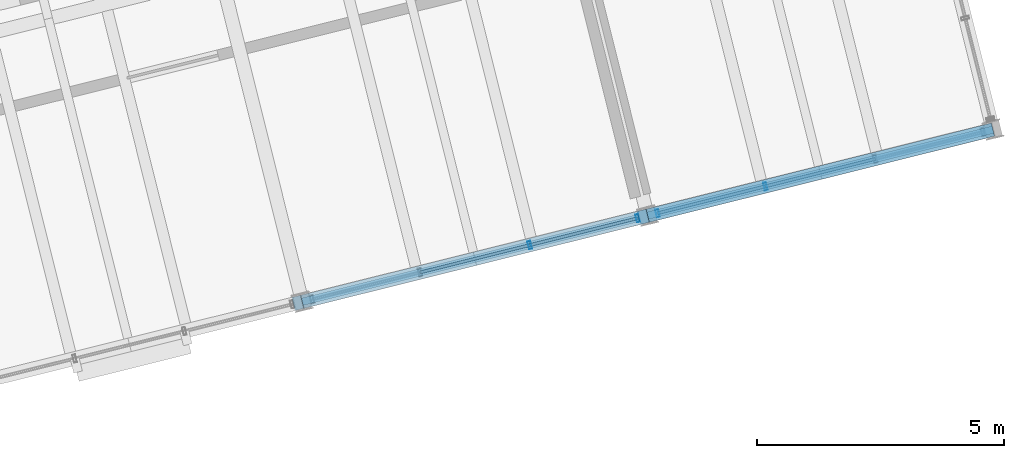
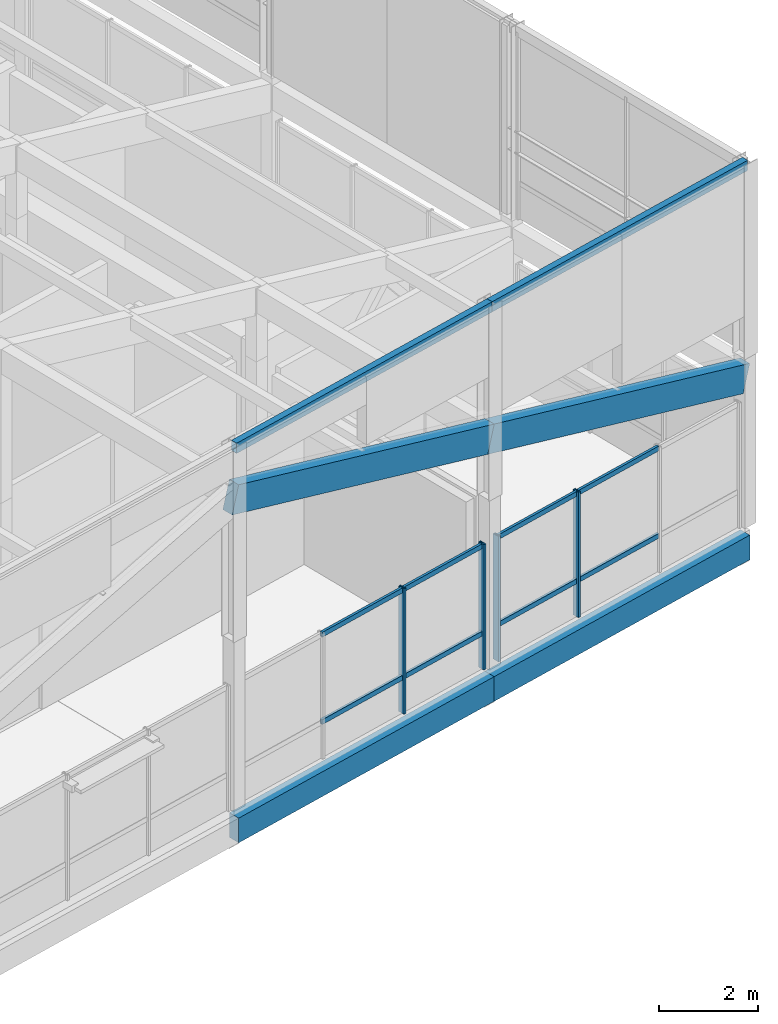
# One storey, part 10 of 31: 12 members, 6 beams, 2 elements without a shape of their own.
"""IFC4 building model written with IfcOpenShell, lengths in metres."""

from ifc_helpers import new_model, si_unit, direction, frame, origin, origin_2d, place, context, subcontext, project, spatial, rectangle, hollow_rectangle, extrude, material, layer, layer_set, material_profile, profile_set, type_object, element, aggregate, save


model = new_model("IFC4")

# Units and contexts
model_context = context("Model", 3, precision=1e-05, world=origin(), true_north=direction((0.0, 1.0)))
body_context = subcontext(model_context, "Body", "Model", "MODEL_VIEW")
ifc_project = project(units=[si_unit("LENGTHUNIT", "METRE"), si_unit("AREAUNIT", "SQUARE_METRE"), si_unit("VOLUMEUNIT", "CUBIC_METRE"), si_unit("PLANEANGLEUNIT", "RADIAN"), si_unit("MASSUNIT", "GRAM", prefix="KILO")], contexts=[model_context])

# Site, building, storey
site_placement = place(None, origin())
site = spatial("IfcSite", under=ifc_project, at=site_placement, CompositionType="ELEMENT")
building_placement = place(site_placement, origin())
building = spatial("IfcBuilding", under=site, at=building_placement, Name="Meriwether Solvik Hall", CompositionType="ELEMENT")
storey_placement = place(building_placement, frame((0.0, 0.0, 61.199951171875)))
storey = spatial("IfcBuildingStorey", under=building, at=storey_placement, Name="L15", CompositionType="ELEMENT", Elevation=61.199951171875)

# Beams
ifc_material_1 = material(Name="Glulam Douglas-Fir 24F-V8 GL28h", Category="wood")
ifc_material_profile_1 = material_profile(ifc_material_1, rectangle(XDim=0.27294921875, YDim=0.610107421875, at=origin_2d()), Name="GLB-273X610")
ifc_profile_set_1 = profile_set([ifc_material_profile_1], Name="Glulam Douglas-Fir 24F-V8 GL28h")
beam_type_1 = type_object("IfcBeamType", Name="BM-GL-273X610", PredefinedType="SPANDREL", material=ifc_profile_set_1)
for number, where, z_axis, x_axis, name in (
    (1, (82.96044921875, 44.780517578125, -0.550048828125), (0.970299871507, 0.241905269381, 0.0), (-0.241905269381, 0.970299871507, 0.0), "Tower Girder TA:T3-T4 (L15)"),
    (2, (89.946533203125, 46.522216796875, -0.550048828125), (0.970291911955, 0.241937193493, 0.0), (-0.241937193493, 0.970291911955, 0.0), "Tower Girder TA:T4-T5 (L15)"),
):
    element("IfcBeam", number, at=place(storey_placement, frame(where, z_axis=z_axis, x_axis=x_axis)), inside=storey, type_object=beam_type_1, Name=name, PredefinedType="SPANDREL", context=body_context, shape_type="SweptSolid", body=[
        extrude(rectangle(XDim=0.27294921875, YDim=0.610107421875, at=origin_2d()), origin(), (0.0, 0.0, 1.0), 7.199951171875),
    ])
ifc_material_2 = material(Name="Glulam Douglas-Fir 24F-V8 GL28h", Category="wood")
ifc_material_profile_2 = material_profile(ifc_material_2, rectangle(XDim=0.27294921875, YDim=0.68505859375, at=origin_2d()), Name="GLB-273X685")
ifc_profile_set_2 = profile_set([ifc_material_profile_2], Name="Glulam Douglas-Fir 24F-V8 GL28h")
beam_type_2 = type_object("IfcBeamType", Name="BM-GL-273X685", PredefinedType="BEAM", material=ifc_profile_set_2)
for number, where, z_axis, x_axis, name in (
    (3, (82.871337890625, 44.75830078125, 7.674072265625), (0.934904699241, 0.233072760846, -0.267638359525), (-0.241897310542, 0.970301855688, 0.0), "Sloped Roof Rafter TA:T3-T4"),
    (4, (89.857666015625, 46.5, 5.674072265625), (0.93489346428, 0.233110776433, -0.267644496222), (-0.241937193493, 0.970291911955, 0.0), "Sloped Roof Rafter TA:T4-T5"),
):
    element("IfcBeam", number, at=place(storey_placement, frame(where, z_axis=z_axis, x_axis=x_axis)), inside=storey, type_object=beam_type_2, Name=name, PredefinedType="BEAM", context=body_context, shape_type="SweptSolid", body=[
        extrude(rectangle(XDim=0.27294921875, YDim=0.68505859375, at=origin_2d()), origin(), (0.0, 0.0, 1.0), 7.47265625),
    ])
ifc_material_3 = material(Name="Steel A500 Grade C", Category="steel")
ifc_material_profile_3 = material_profile(ifc_material_3, hollow_rectangle(XDim=0.152099609375, YDim=0.25390625, WallThickness=0.009521484375, at=origin_2d()), Name="HSS254X152X9.5")
ifc_profile_set_3 = profile_set([ifc_material_profile_3], Name="Steel A500 Grade C")
beam_type_3 = type_object("IfcBeamType", Name="BM-STL-HSS254", PredefinedType="SPANDREL", material=ifc_profile_set_3)
for number, where, z_axis, x_axis, name in (
    (5, (82.96044921875, 44.780517578125, 8.873046875), (0.970299871507, 0.241905269381, 0.0), (-0.241905269381, 0.970299871507, 0.0), "Crown Cap Ring Beam T3TA-T4TA"),
    (6, (89.946533203125, 46.522216796875, 8.873046875), (0.970291911955, 0.241937193493, 0.0), (-0.241937193493, 0.970291911955, 0.0), "Crown Cap Ring Beam T4TA-T5TA"),
):
    element("IfcBeam", number, at=place(storey_placement, frame(where, z_axis=z_axis, x_axis=x_axis)), inside=storey, type_object=beam_type_3, Name=name, PredefinedType="SPANDREL", context=body_context, shape_type="SweptSolid", body=[
        extrude(hollow_rectangle(XDim=0.152099609375, YDim=0.25390625, WallThickness=0.009521484375, at=origin_2d()), origin(), (0.0, 0.0, 1.0), 7.199951171875),
    ])

# Curtain wall, members
ifc_material_4 = material(Name="Thermally Broken Anodised Aluminium 6063-T6 and Low-E Glass", Category="aluminium")
ifc_layer_1 = layer(ifc_material_4, 0.179931640625)
ifc_layer_set_1 = layer_set([ifc_layer_1], Name="Thermally Broken Anodised Aluminium 6063-T6 and Low-E Glass")
curtain_wall_type_1 = type_object("IfcCurtainWallType", Name="CW-UNIT-A", PredefinedType="USERDEFINED", material=ifc_layer_set_1)
curtain_wall_1_placement = place(storey_placement, origin())
curtain_wall_1 = element("IfcCurtainWall", 7, at=curtain_wall_1_placement, inside=storey, type_object=curtain_wall_type_1, Name="Curtain Wall E0_B2 (L15)", ObjectType="UNITISED CURTAIN WALL", PredefinedType="USERDEFINED")
ifc_material_5 = material(Name="Anodised Aluminium 6063-T6", Category="aluminium")
ifc_material_profile_4 = material_profile(ifc_material_5, hollow_rectangle(XDim=0.06005859375, YDim=0.159912109375, WallThickness=0.00390625, at=origin_2d()), Name="CWM-60X160")
ifc_profile_set_4 = profile_set([ifc_material_profile_4], Name="Anodised Aluminium 6063-T6")
member_type_1 = type_object("IfcMemberType", Name="CW-MUL-60X160", PredefinedType="MULLION", material=ifc_profile_set_4)
member_1_placement = place(storey_placement, frame((89.7451171875, 46.47216796875, 0.0), z_axis=(0.0, 0.0, 1.0), x_axis=(-0.970295730764, -0.241921877598, 0.0)))
member_1 = element("IfcMember", 8, at=member_1_placement, type_object=member_type_1, Name="Curtain Wall Mullion 1", PredefinedType="MULLION", context=body_context, shape_type="SweptSolid", body=[
    extrude(hollow_rectangle(XDim=0.06005859375, YDim=0.159912109375, WallThickness=0.00390625, at=origin_2d()), origin(), (0.0, 0.0, 1.0), 3.10205078125),
])
member_2_placement = place(storey_placement, frame((87.56298828125, 45.927978515625, 0.0), z_axis=(0.0, 0.0, 1.0), x_axis=(-0.970295730764, -0.241921877598, 0.0)))
member_2 = element("IfcMember", 9, at=member_2_placement, type_object=member_type_1, Name="Curtain Wall Mullion 2", PredefinedType="MULLION", context=body_context, shape_type="SweptSolid", body=[
    extrude(hollow_rectangle(XDim=0.06005859375, YDim=0.159912109375, WallThickness=0.00390625, at=origin_2d()), origin(), (0.0, 0.0, 1.0), 3.10205078125),
])

ifc_material_6 = material(Name="Thermally Broken Anodised Aluminium 6063-T6 and Low-E Glass", Category="aluminium")
ifc_layer_2 = layer(ifc_material_6, 0.179931640625)
ifc_layer_set_2 = layer_set([ifc_layer_2], Name="Thermally Broken Anodised Aluminium 6063-T6 and Low-E Glass")
curtain_wall_type_2 = type_object("IfcCurtainWallType", Name="CW-UNIT-B", PredefinedType="USERDEFINED", material=ifc_layer_set_2)
curtain_wall_2_placement = place(storey_placement, origin())
curtain_wall_2 = element("IfcCurtainWall", 10, at=curtain_wall_2_placement, inside=storey, type_object=curtain_wall_type_2, Name="Curtain Wall E0_B3 (L15)", ObjectType="UNITISED CURTAIN WALL", PredefinedType="USERDEFINED")
member_3_placement = place(storey_placement, frame((92.330078125, 47.116455078125, 0.0), z_axis=(0.0, 0.0, 1.0), x_axis=(-0.970295696551, -0.241922014821, 0.0)))
member_3 = element("IfcMember", 11, at=member_3_placement, type_object=member_type_1, Name="Curtain Wall Mullion 3", PredefinedType="MULLION", context=body_context, shape_type="SweptSolid", body=[
    extrude(hollow_rectangle(XDim=0.06005859375, YDim=0.159912109375, WallThickness=0.00390625, at=origin_2d()), origin(), (0.0, 0.0, 1.0), 3.10205078125),
])
member_4_placement = place(storey_placement, frame((90.14794921875, 46.572509765625, 0.0), z_axis=(0.0, 0.0, 1.0), x_axis=(-0.970295696551, -0.241922014821, 0.0)))
member_4 = element("IfcMember", 12, at=member_4_placement, type_object=member_type_1, Name="Curtain Wall Mullion 4", PredefinedType="MULLION", context=body_context, shape_type="SweptSolid", body=[
    extrude(hollow_rectangle(XDim=0.06005859375, YDim=0.159912109375, WallThickness=0.00390625, at=origin_2d()), origin(), (0.0, 0.0, 1.0), 3.10205078125),
])

# Member
ifc_material_7 = material(Name="Anodised Aluminium 6063-T6", Category="aluminium")
ifc_material_profile_5 = material_profile(ifc_material_7, hollow_rectangle(XDim=0.06005859375, YDim=0.1201171875, WallThickness=0.00390625, at=origin_2d()), Name="CWT-60X120")
ifc_profile_set_5 = profile_set([ifc_material_profile_5], Name="Anodised Aluminium 6063-T6")
member_type_2 = type_object("IfcMemberType", Name="CW-TRN-60X120", PredefinedType="USERDEFINED", material=ifc_profile_set_5)
member_5_placement = place(storey_placement, frame((89.7451171875, 46.47216796875, 0.880126953125), z_axis=(-0.970282822978, -0.241973642025, 0.0), x_axis=(0.241973642025, -0.970282822978, 0.0)))
member_5 = element("IfcMember", 13, at=member_5_placement, type_object=member_type_2, Name="Curtain Wall Transom 1-sill", ObjectType="TRANSOM", PredefinedType="USERDEFINED", context=body_context, shape_type="SweptSolid", body=[
    extrude(hollow_rectangle(XDim=0.06005859375, YDim=0.1201171875, WallThickness=0.00390625, at=origin_2d()), origin(), (0.0, 0.0, 1.0), 2.2490234375),
])

member_6_placement = place(storey_placement, frame((89.7451171875, 46.47216796875, 3.0419921875), z_axis=(-0.970282822978, -0.241973642025, 0.0), x_axis=(0.241973642025, -0.970282822978, 0.0)))
member_6 = element("IfcMember", 14, at=member_6_placement, type_object=member_type_2, Name="Curtain Wall Transom 1-head", ObjectType="TRANSOM", PredefinedType="USERDEFINED", context=body_context, shape_type="SweptSolid", body=[
    extrude(hollow_rectangle(XDim=0.06005859375, YDim=0.1201171875, WallThickness=0.00390625, at=origin_2d()), origin(), (0.0, 0.0, 1.0), 2.2490234375),
])

member_7_placement = place(storey_placement, frame((87.56298828125, 45.927978515625, 0.880126953125), z_axis=(-0.97029929005, -0.241907601634, 0.0), x_axis=(0.241907601634, -0.97029929005, 0.0)))
member_7 = element("IfcMember", 15, at=member_7_placement, type_object=member_type_2, Name="Curtain Wall Transom 2-sill", ObjectType="TRANSOM", PredefinedType="USERDEFINED", context=body_context, shape_type="SweptSolid", body=[
    extrude(hollow_rectangle(XDim=0.06005859375, YDim=0.1201171875, WallThickness=0.00390625, at=origin_2d()), origin(), (0.0, 0.0, 1.0), 2.286865234375),
])

member_8_placement = place(storey_placement, frame((87.56298828125, 45.927978515625, 3.0419921875), z_axis=(-0.97029929005, -0.241907601634, 0.0), x_axis=(0.241907601634, -0.97029929005, 0.0)))
member_8 = element("IfcMember", 16, at=member_8_placement, type_object=member_type_2, Name="Curtain Wall Transom 2-head", ObjectType="TRANSOM", PredefinedType="USERDEFINED", context=body_context, shape_type="SweptSolid", body=[
    extrude(hollow_rectangle(XDim=0.06005859375, YDim=0.1201171875, WallThickness=0.00390625, at=origin_2d()), origin(), (0.0, 0.0, 1.0), 2.286865234375),
])

aggregate(curtain_wall_1, [member_1, member_2, member_5, member_6, member_7, member_8])

member_9_placement = place(storey_placement, frame((94.549072265625, 47.669921875, 0.880126953125), z_axis=(-0.970274227582, -0.242008105834, 0.0), x_axis=(0.242008105834, -0.970274227582, 0.0)))
member_9 = element("IfcMember", 17, at=member_9_placement, type_object=member_type_2, Name="Curtain Wall Transom 2-sill", ObjectType="TRANSOM", PredefinedType="USERDEFINED", context=body_context, shape_type="SweptSolid", body=[
    extrude(hollow_rectangle(XDim=0.06005859375, YDim=0.1201171875, WallThickness=0.00390625, at=origin_2d()), origin(), (0.0, 0.0, 1.0), 2.286865234375),
])

member_10_placement = place(storey_placement, frame((94.549072265625, 47.669921875, 3.0419921875), z_axis=(-0.970274227582, -0.242008105834, 0.0), x_axis=(0.242008105834, -0.970274227582, 0.0)))
member_10 = element("IfcMember", 18, at=member_10_placement, type_object=member_type_2, Name="Curtain Wall Transom 2-head", ObjectType="TRANSOM", PredefinedType="USERDEFINED", context=body_context, shape_type="SweptSolid", body=[
    extrude(hollow_rectangle(XDim=0.06005859375, YDim=0.1201171875, WallThickness=0.00390625, at=origin_2d()), origin(), (0.0, 0.0, 1.0), 2.286865234375),
])

member_11_placement = place(storey_placement, frame((92.330078125, 47.116455078125, 0.880126953125), z_axis=(-0.970308305597, -0.241871437108, 0.0), x_axis=(0.241871437108, -0.970308305597, 0.0)))
member_11 = element("IfcMember", 19, at=member_11_placement, type_object=member_type_2, Name="Curtain Wall Transom 3-sill", ObjectType="TRANSOM", PredefinedType="USERDEFINED", context=body_context, shape_type="SweptSolid", body=[
    extrude(hollow_rectangle(XDim=0.06005859375, YDim=0.1201171875, WallThickness=0.00390625, at=origin_2d()), origin(), (0.0, 0.0, 1.0), 2.2490234375),
])

member_12_placement = place(storey_placement, frame((92.330078125, 47.116455078125, 3.0419921875), z_axis=(-0.970308305597, -0.241871437108, 0.0), x_axis=(0.241871437108, -0.970308305597, 0.0)))
member_12 = element("IfcMember", 20, at=member_12_placement, type_object=member_type_2, Name="Curtain Wall Transom 3-head", ObjectType="TRANSOM", PredefinedType="USERDEFINED", context=body_context, shape_type="SweptSolid", body=[
    extrude(hollow_rectangle(XDim=0.06005859375, YDim=0.1201171875, WallThickness=0.00390625, at=origin_2d()), origin(), (0.0, 0.0, 1.0), 2.2490234375),
])

aggregate(curtain_wall_2, [member_3, member_4, member_9, member_10, member_11, member_12])

save(model, "model.ifc")
